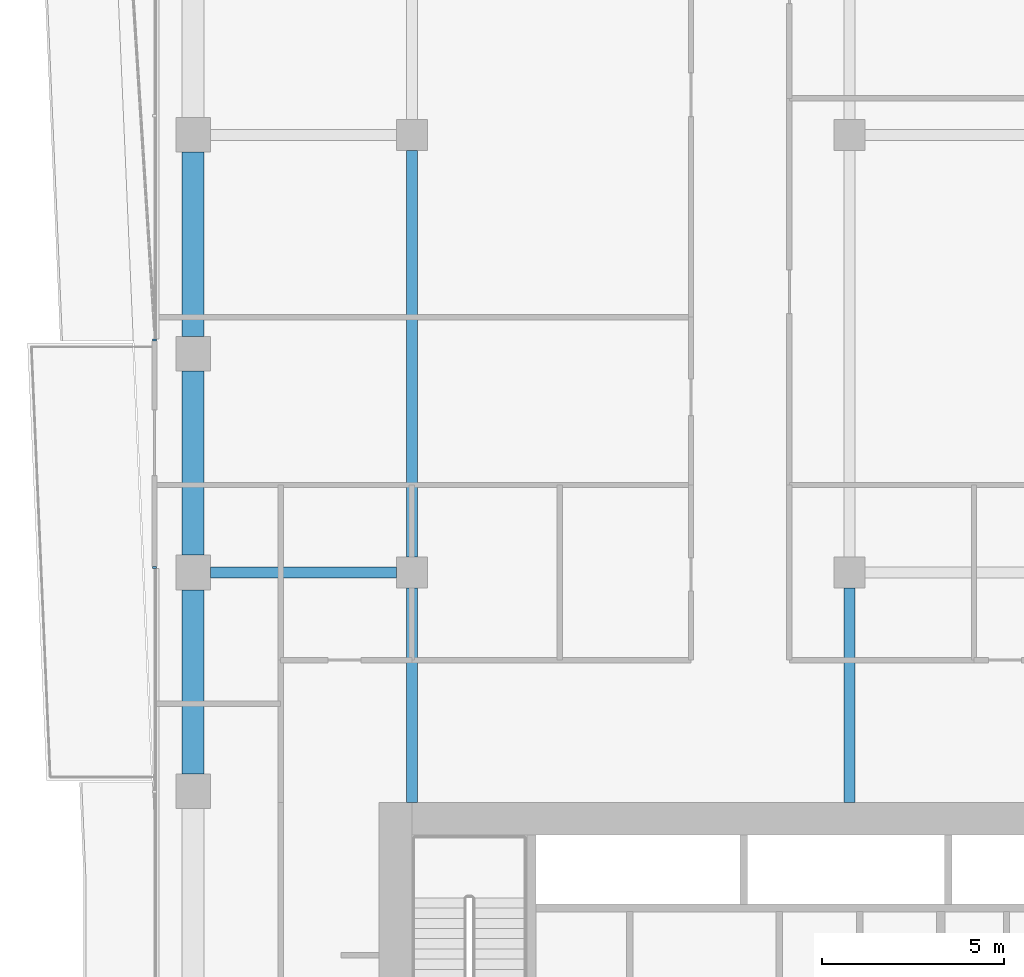
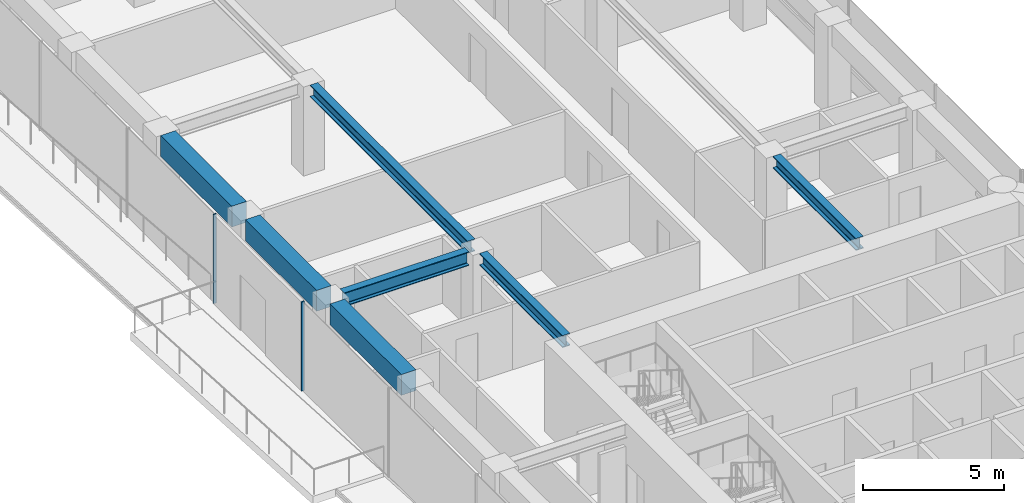
# One storey, part 14 of 29: 7 beams, 2 members, 2 elements without a shape of their own.
"""IFC4 building model written with IfcOpenShell, lengths in metres."""

from ifc_helpers import new_model, si_unit, direction, frame, origin, origin_2d, place, context, subcontext, project, spatial, rectangle, i_section, extrude, material, layer, layer_set, material_profile, profile_set, type_object, element, aggregate, save


model = new_model("IFC4")

# Units and contexts
model_context = context("Model", 3, precision=1e-05, world=origin(), true_north=direction((0.0, 1.0)))
body_context = subcontext(model_context, "Body", "Model", "MODEL_VIEW")
ifc_project = project(units=[si_unit("LENGTHUNIT", "METRE"), si_unit("AREAUNIT", "SQUARE_METRE"), si_unit("VOLUMEUNIT", "CUBIC_METRE"), si_unit("PLANEANGLEUNIT", "RADIAN"), si_unit("MASSUNIT", "GRAM", prefix="KILO")], contexts=[model_context])

# Site, building, storey
site_placement = place(None, origin())
site = spatial("IfcSite", under=ifc_project, at=site_placement, CompositionType="ELEMENT")
building_placement = place(site_placement, origin())
building = spatial("IfcBuilding", under=site, at=building_placement, Name="Welwitschia Terrace Campus", CompositionType="ELEMENT")
storey_placement = place(building_placement, frame((0.0, 0.0, 62.60009765625)))
storey = spatial("IfcBuildingStorey", under=building, at=storey_placement, Name="L14", CompositionType="ELEMENT", Elevation=62.60009765625)

# Beams
ifc_material_1 = material(Name="Steel S355", Category="steel")
ifc_material_profile_1 = material_profile(ifc_material_1, i_section(OverallWidth=0.305908203125, OverallDepth=0.52392578125, WebThickness=0.02099609375, FlangeThickness=0.0400390625, FilletRadius=0.027099609375, at=origin_2d()))
ifc_profile_set_1 = profile_set([ifc_material_profile_1], Name="Steel S355")
beam_type_1 = type_object("IfcBeamType", Name="Interior girder HE 500 M", PredefinedType="BEAM", material=ifc_profile_set_1)
beam_1_placement = place(storey_placement, frame((6.0, 25.700927734375, 3.587890625), z_axis=(0.0, 1.0, 0.0), x_axis=(-1.0, 0.0, 0.0)))
element("IfcBeam", 1, at=beam_1_placement, inside=storey, type_object=beam_type_1, Name="Girder GB2", PredefinedType="BEAM", context=body_context, shape_type="SweptSolid", body=[
    extrude(i_section(OverallWidth=0.305908203125, OverallDepth=0.52392578125, WebThickness=0.02099609375, FlangeThickness=0.0400390625, FilletRadius=0.027099609375, at=origin_2d()), origin(), (0.0, 0.0, 1.0), 5.87353515625),
])
beam_2_placement = place(storey_placement, frame((6.0, 32.425537109375, 3.587890625), z_axis=(0.0, 1.0, 0.0), x_axis=(-1.0, 0.0, 0.0)))
element("IfcBeam", 2, at=beam_2_placement, inside=storey, type_object=beam_type_1, Name="Girder GB2", PredefinedType="BEAM", context=body_context, shape_type="SweptSolid", body=[
    extrude(i_section(OverallWidth=0.305908203125, OverallDepth=0.52392578125, WebThickness=0.02099609375, FlangeThickness=0.0400390625, FilletRadius=0.027099609375, at=origin_2d()), origin(), (0.0, 0.0, 1.0), 11.14892578125),
])
beam_3_placement = place(storey_placement, frame((18.0, 25.700927734375, 3.587890625), z_axis=(0.0, 1.0, 0.0), x_axis=(-1.0, 0.0, 0.0)))
element("IfcBeam", 3, at=beam_3_placement, inside=storey, type_object=beam_type_1, Name="Girder GB2", PredefinedType="BEAM", context=body_context, shape_type="SweptSolid", body=[
    extrude(i_section(OverallWidth=0.305908203125, OverallDepth=0.52392578125, WebThickness=0.02099609375, FlangeThickness=0.0400390625, FilletRadius=0.027099609375, at=origin_2d()), origin(), (0.0, 0.0, 1.0), 5.87353515625),
])

# Curtain wall, member
ifc_material_2 = material(Name="Bronze anodised aluminium", Category="aluminium")
ifc_layer = layer(ifc_material_2, 0.1201171875)
ifc_layer_set = layer_set([ifc_layer], Name="Bronze anodised aluminium")
curtain_wall_type = type_object("IfcCurtainWallType", Name="Curtain wall CW2 tower 6000", PredefinedType="NOTDEFINED", material=ifc_layer_set)
curtain_wall_1_placement = place(storey_placement, origin())
curtain_wall_1 = element("IfcCurtainWall", 4, at=curtain_wall_1_placement, inside=storey, type_object=curtain_wall_type, Name="CW L14.12.0", PredefinedType="NOTDEFINED")
ifc_material_3 = material(Name="Bronze anodised aluminium", Category="aluminium")
ifc_material_profile_2 = material_profile(ifc_material_3, rectangle(XDim=0.1201171875, YDim=0.06005859375, at=origin_2d()))
ifc_profile_set_2 = profile_set([ifc_material_profile_2], Name="Bronze anodised aluminium")
member_type = type_object("IfcMemberType", Name="Mullion 60x120", PredefinedType="MULLION", material=ifc_profile_set_2)
member_1_placement = place(storey_placement, frame((-1.05810546875, 38.377197265625, 0.0), z_axis=(0.0, 0.0, 1.0), x_axis=(1.0, 0.0, 0.0)))
member_1 = element("IfcMember", 5, at=member_1_placement, type_object=member_type, Name="Mullion L14.12.0.4", PredefinedType="MULLION", context=body_context, shape_type="SweptSolid", body=[
    extrude(rectangle(XDim=0.1201171875, YDim=0.06005859375, at=origin_2d()), origin(), (0.0, 0.0, 1.0), 3.849853515625),
])
aggregate(curtain_wall_1, [member_1])

curtain_wall_2_placement = place(storey_placement, origin())
curtain_wall_2 = element("IfcCurtainWall", 6, at=curtain_wall_2_placement, inside=storey, type_object=curtain_wall_type, Name="CW L14.12.5", PredefinedType="NOTDEFINED")
member_2_placement = place(storey_placement, frame((-1.05810546875, 32.139404296875, 0.0), z_axis=(0.0, 0.0, 1.0), x_axis=(1.0, 0.0, 0.0)))
member_2 = element("IfcMember", 7, at=member_2_placement, type_object=member_type, Name="Mullion L14.12.5.0", PredefinedType="MULLION", context=body_context, shape_type="SweptSolid", body=[
    extrude(rectangle(XDim=0.1201171875, YDim=0.06005859375, at=origin_2d()), origin(), (0.0, 0.0, 1.0), 3.849853515625),
])
aggregate(curtain_wall_2, [member_2])

# Beams
ifc_material_4 = material(Name="Steel S355", Category="steel")
ifc_material_profile_3 = material_profile(ifc_material_4, i_section(OverallWidth=0.300048828125, OverallDepth=0.60009765625, WebThickness=0.015380859375, FlangeThickness=0.030029296875, FilletRadius=0.027099609375, at=origin_2d()))
ifc_profile_set_3 = profile_set([ifc_material_profile_3], Name="Steel S355")
beam_type_2 = type_object("IfcBeamType", Name="Primary beam HE 600 B", PredefinedType="BEAM", material=ifc_profile_set_3)
beam_4_placement = place(storey_placement, frame((0.4755859375, 32.0, 3.5498046875), z_axis=(1.0, 0.0, 0.0), x_axis=(0.0, 1.0, 0.0)))
element("IfcBeam", 8, at=beam_4_placement, inside=storey, type_object=beam_type_2, Name="Primary beam PB2", PredefinedType="BEAM", context=body_context, shape_type="SweptSolid", body=[
    extrude(i_section(OverallWidth=0.300048828125, OverallDepth=0.60009765625, WebThickness=0.015380859375, FlangeThickness=0.030029296875, FilletRadius=0.027099609375, at=origin_2d()), origin(), (0.0, 0.0, 1.0), 5.098876953125),
])
ifc_material_5 = material(Name="Concrete C60/75", Category="concrete")
ifc_material_profile_4 = material_profile(ifc_material_5, rectangle(XDim=0.60009765625, YDim=0.89990234375, at=origin_2d()))
ifc_profile_set_4 = profile_set([ifc_material_profile_4], Name="Concrete C60/75")
beam_type_3 = type_object("IfcBeamType", Name="Ring spandrel 600x900", PredefinedType="SPANDREL", material=ifc_profile_set_4)
for number, where, z_axis, x_axis, name in (
    (9, (0.0, 43.5244140625, 3.39990234375), (0.0, -1.0, 0.0), (1.0, 0.0, 0.0), "Spandrel SP2"),
    (10, (0.0, 37.5244140625, 3.39990234375), (0.0, -1.0, 0.0), (1.0, 0.0, 0.0), "Spandrel SP2"),
    (11, (0.0, 31.5244140625, 3.39990234375), (0.0, -1.0, 0.0), (1.0, 0.0, 0.0), "Spandrel SP2"),
):
    element("IfcBeam", number, at=place(storey_placement, frame(where, z_axis=z_axis, x_axis=x_axis)), inside=storey, type_object=beam_type_3, Name=name, PredefinedType="SPANDREL", context=body_context, shape_type="SweptSolid", body=[
        extrude(rectangle(XDim=0.60009765625, YDim=0.89990234375, at=origin_2d()), origin(), (0.0, 0.0, 1.0), 5.048828125),
    ])

save(model, "model.ifc")
